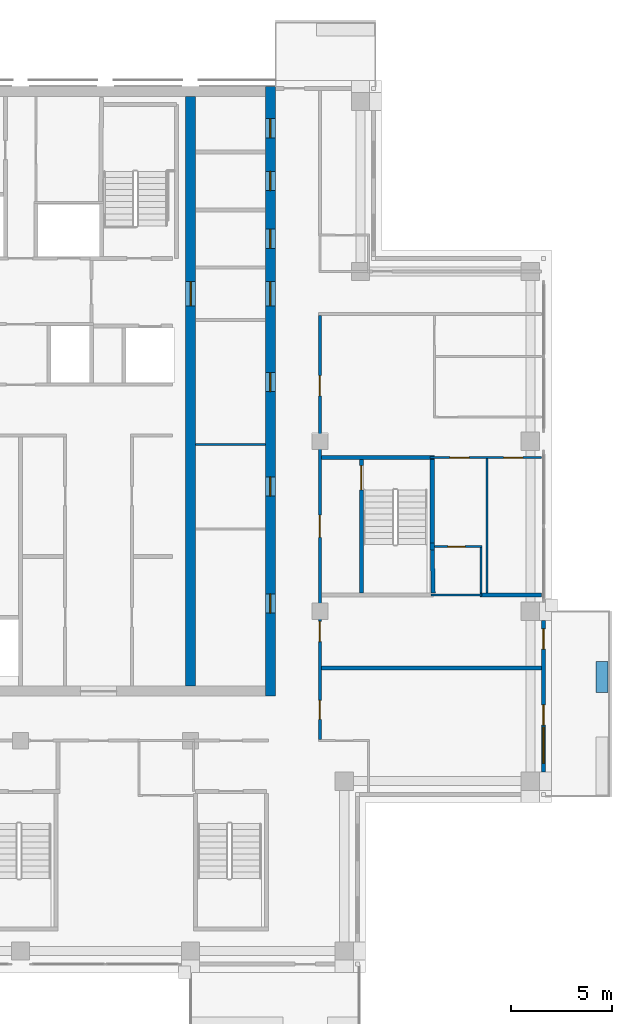
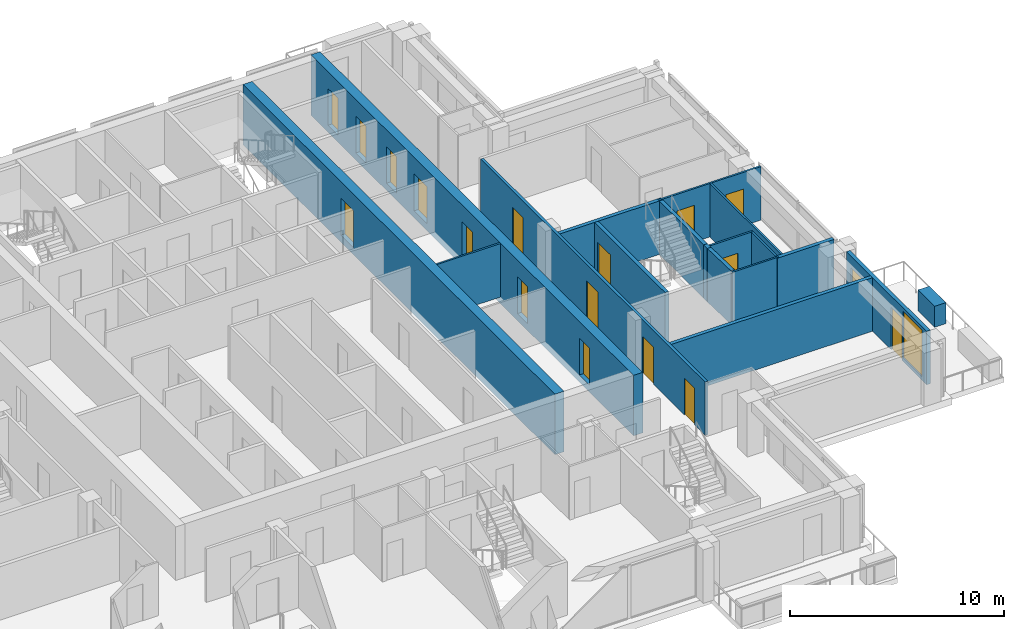
# One storey, part 12 of 19: 18 doors, 18 walls, 1 window, 19 openings.
"""IFC4 building model written with IfcOpenShell, lengths in metres."""

from ifc_helpers import new_model, si_unit, direction, frame, frame_2d, origin, place, context, subcontext, project, spatial, rectangle, extrude, material, layer, layer_set, type_object, element, fill, save


model = new_model("IFC4")

# Units and contexts
model_context = context("Model", 3, precision=1e-05, world=origin(), true_north=direction((0.0, 1.0)))
body_context = subcontext(model_context, "Body", "Model", "MODEL_VIEW")
ifc_project = project(units=[si_unit("LENGTHUNIT", "METRE"), si_unit("AREAUNIT", "SQUARE_METRE"), si_unit("VOLUMEUNIT", "CUBIC_METRE"), si_unit("PLANEANGLEUNIT", "RADIAN"), si_unit("MASSUNIT", "GRAM", prefix="KILO")], contexts=[model_context])

# Site, building, storey
site_placement = place(None, origin())
site = spatial("IfcSite", under=ifc_project, at=site_placement, CompositionType="ELEMENT")
building_placement = place(site_placement, origin())
building = spatial("IfcBuilding", under=site, at=building_placement, Name="Vermilion Ogive Tower", CompositionType="ELEMENT")
storey_placement = place(building_placement, frame((0.0, 0.0, 226.89990234375)))
storey = spatial("IfcBuildingStorey", under=building, at=storey_placement, Name="L59", CompositionType="ELEMENT", Elevation=226.89990234375)

# Wall, openings, doors
ifc_material_1 = material(Name="Concrete B60", Category="concrete")
ifc_layer_1 = layer(ifc_material_1, 0.5)
ifc_layer_set_1 = layer_set([ifc_layer_1], Name="Core wall 500 B60")
wall_type_1 = type_object("IfcWallType", Name="Core wall 500 B60", PredefinedType="SHEAR", material=ifc_layer_set_1)
wall_1_placement = place(storey_placement, frame((12.35009765625, -8.39990234375, -0.39990234375), z_axis=(0.0, 0.0, 1.0), x_axis=(0.0, 1.0, 0.0)))
wall_1 = element("IfcWall", 1, at=wall_1_placement, inside=storey, type_object=wall_type_1, Name="L59-CORE-E", PredefinedType="SHEAR", context=body_context, shape_type="SweptSolid", body=[
    extrude(rectangle(XDim=30.14990234375, YDim=0.5, at=frame_2d((15.074951171875, 0.0))), origin(), (0.0, 0.0, 1.0), 3.449951171875),
])
opening_1_placement = place(wall_1_placement, frame((4.112548828125, 0.0, 0.39990234375)))
opening_1 = element("IfcOpeningElement", 2, at=opening_1_placement, cuts=wall_1, Name="Opening DAC100", PredefinedType="OPENING", context=body_context, shape_type="SweptSolid", body=[
    extrude(rectangle(XDim=0.949951171875, YDim=2.10009765625, at=frame_2d((0.47509765625, 1.050048828125))), frame((0.0, 0.260009765625, 0.0), z_axis=(0.0, -1.0, 0.0), x_axis=(1.0, 0.0, 0.0)), (0.0, 0.0, 1.0), 0.52001953125),
])
opening_2_placement = place(wall_1_placement, frame((9.8896484375, 0.0, 0.39990234375)))
opening_2 = element("IfcOpeningElement", 3, at=opening_2_placement, cuts=wall_1, Name="Opening DAC101", PredefinedType="OPENING", context=body_context, shape_type="SweptSolid", body=[
    extrude(rectangle(XDim=0.949951171875, YDim=2.10009765625, at=frame_2d((0.47509765625, 1.050048828125))), frame((0.0, 0.260009765625, 0.0), z_axis=(0.0, -1.0, 0.0), x_axis=(1.0, 0.0, 0.0)), (0.0, 0.0, 1.0), 0.52001953125),
])
opening_3_placement = place(wall_1_placement, frame((15.052001953125, 0.0, 0.39990234375)))
opening_3 = element("IfcOpeningElement", 4, at=opening_3_placement, cuts=wall_1, Name="Opening DAC102", PredefinedType="OPENING", context=body_context, shape_type="SweptSolid", body=[
    extrude(rectangle(XDim=0.949951171875, YDim=2.10009765625, at=frame_2d((0.47509765625, 1.050048828125))), frame((0.0, 0.260009765625, 0.0), z_axis=(0.0, -1.0, 0.0), x_axis=(1.0, 0.0, 0.0)), (0.0, 0.0, 1.0), 0.52001953125),
])
opening_4_placement = place(wall_1_placement, frame((22.1435546875, 0.0, 0.39990234375)))
opening_4 = element("IfcOpeningElement", 5, at=opening_4_placement, cuts=wall_1, Name="Opening DAC103", PredefinedType="OPENING", context=body_context, shape_type="SweptSolid", body=[
    extrude(rectangle(XDim=0.949951171875, YDim=2.10009765625, at=frame_2d((0.47509765625, 1.050048828125))), frame((0.0, 0.260009765625, 0.0), z_axis=(0.0, -1.0, 0.0), x_axis=(1.0, 0.0, 0.0)), (0.0, 0.0, 1.0), 0.52001953125),
])
opening_5_placement = place(wall_1_placement, frame((24.998291015625, 0.0, 0.39990234375)))
opening_5 = element("IfcOpeningElement", 6, at=opening_5_placement, cuts=wall_1, Name="Opening DAC104", PredefinedType="OPENING", context=body_context, shape_type="SweptSolid", body=[
    extrude(rectangle(XDim=0.949951171875, YDim=2.10009765625, at=frame_2d((0.47509765625, 1.050048828125))), frame((0.0, 0.260009765625, 0.0), z_axis=(0.0, -1.0, 0.0), x_axis=(1.0, 0.0, 0.0)), (0.0, 0.0, 1.0), 0.52001953125),
])
opening_6_placement = place(wall_1_placement, frame((27.604736328125, 0.0, 0.39990234375)))
opening_6 = element("IfcOpeningElement", 7, at=opening_6_placement, cuts=wall_1, Name="Opening DAC105", PredefinedType="OPENING", context=body_context, shape_type="SweptSolid", body=[
    extrude(rectangle(XDim=0.949951171875, YDim=2.10009765625, at=frame_2d((0.47509765625, 1.050048828125))), frame((0.0, 0.260009765625, 0.0), z_axis=(0.0, -1.0, 0.0), x_axis=(1.0, 0.0, 0.0)), (0.0, 0.0, 1.0), 0.52001953125),
])
opening_7_placement = place(wall_1_placement, frame((19.300048828125, 0.0, 0.39990234375)))
opening_7 = element("IfcOpeningElement", 8, at=opening_7_placement, cuts=wall_1, Name="Opening DAL024", PredefinedType="OPENING", context=body_context, shape_type="SweptSolid", body=[
    extrude(rectangle(XDim=1.199951171875, YDim=2.10009765625, at=frame_2d((0.60009765625, 1.050048828125))), frame((0.0, 0.260009765625, 0.0), z_axis=(0.0, -1.0, 0.0), x_axis=(1.0, 0.0, 0.0)), (0.0, 0.0, 1.0), 0.52001953125),
])
ifc_material_2 = material(Name="Timber door leaf", Category="wood")
door_type_1 = type_object("IfcDoorType", Name="Link door 1200 x 2100 FD60S", OperationType="SINGLE_SWING_LEFT", PredefinedType="DOOR", material=ifc_material_2)
door_1_placement = place(opening_7_placement, origin())
door_1 = element("IfcDoor", 9, at=door_1_placement, inside=storey, type_object=door_type_1, Name="L59-CKE-XL", OperationType="SINGLE_SWING_LEFT", OverallHeight=2.10009765625, OverallWidth=1.199951171875, PredefinedType="DOOR", context=body_context, shape_type="SweptSolid", body=[
    extrude(rectangle(XDim=1.199951171875, YDim=2.10009765625, at=frame_2d((0.60009765625, 1.050048828125))), frame((0.0, 0.02490234375, 0.0), z_axis=(0.0, -1.0, 0.0), x_axis=(1.0, 0.0, 0.0)), (0.0, 0.0, 1.0), 0.050048828125),
])
fill(opening_7, door_1)
ifc_material_3 = material(Name="Timber door leaf", Category="wood")
door_type_2 = type_object("IfcDoorType", Name="Service door 950 x 2100 FD60", OperationType="SINGLE_SWING_LEFT", PredefinedType="DOOR", material=ifc_material_3)
door_2_placement = place(opening_1_placement, origin())
door_2 = element("IfcDoor", 10, at=door_2_placement, inside=storey, type_object=door_type_2, Name="L59-CKE-XR0", OperationType="SINGLE_SWING_LEFT", OverallHeight=2.10009765625, OverallWidth=0.949951171875, PredefinedType="DOOR", context=body_context, shape_type="SweptSolid", body=[
    extrude(rectangle(XDim=0.949951171875, YDim=2.10009765625, at=frame_2d((0.47509765625, 1.050048828125))), frame((0.0, 0.02490234375, 0.0), z_axis=(0.0, -1.0, 0.0), x_axis=(1.0, 0.0, 0.0)), (0.0, 0.0, 1.0), 0.050048828125),
])
fill(opening_1, door_2)
door_3_placement = place(opening_2_placement, origin())
door_3 = element("IfcDoor", 11, at=door_3_placement, inside=storey, type_object=door_type_2, Name="L59-CKE-XR1", OperationType="SINGLE_SWING_LEFT", OverallHeight=2.10009765625, OverallWidth=0.949951171875, PredefinedType="DOOR", context=body_context, shape_type="SweptSolid", body=[
    extrude(rectangle(XDim=0.949951171875, YDim=2.10009765625, at=frame_2d((0.47509765625, 1.050048828125))), frame((0.0, 0.02490234375, 0.0), z_axis=(0.0, -1.0, 0.0), x_axis=(1.0, 0.0, 0.0)), (0.0, 0.0, 1.0), 0.050048828125),
])
fill(opening_2, door_3)
door_4_placement = place(opening_3_placement, origin())
door_4 = element("IfcDoor", 12, at=door_4_placement, inside=storey, type_object=door_type_2, Name="L59-CKE-XR2", OperationType="SINGLE_SWING_LEFT", OverallHeight=2.10009765625, OverallWidth=0.949951171875, PredefinedType="DOOR", context=body_context, shape_type="SweptSolid", body=[
    extrude(rectangle(XDim=0.949951171875, YDim=2.10009765625, at=frame_2d((0.47509765625, 1.050048828125))), frame((0.0, 0.02490234375, 0.0), z_axis=(0.0, -1.0, 0.0), x_axis=(1.0, 0.0, 0.0)), (0.0, 0.0, 1.0), 0.050048828125),
])
fill(opening_3, door_4)
door_5_placement = place(opening_4_placement, origin())
door_5 = element("IfcDoor", 13, at=door_5_placement, inside=storey, type_object=door_type_2, Name="L59-CKE-XR3", OperationType="SINGLE_SWING_LEFT", OverallHeight=2.10009765625, OverallWidth=0.949951171875, PredefinedType="DOOR", context=body_context, shape_type="SweptSolid", body=[
    extrude(rectangle(XDim=0.949951171875, YDim=2.10009765625, at=frame_2d((0.47509765625, 1.050048828125))), frame((0.0, 0.02490234375, 0.0), z_axis=(0.0, -1.0, 0.0), x_axis=(1.0, 0.0, 0.0)), (0.0, 0.0, 1.0), 0.050048828125),
])
fill(opening_4, door_5)
door_6_placement = place(opening_5_placement, origin())
door_6 = element("IfcDoor", 14, at=door_6_placement, inside=storey, type_object=door_type_2, Name="L59-CKE-XR4", OperationType="SINGLE_SWING_LEFT", OverallHeight=2.10009765625, OverallWidth=0.949951171875, PredefinedType="DOOR", context=body_context, shape_type="SweptSolid", body=[
    extrude(rectangle(XDim=0.949951171875, YDim=2.10009765625, at=frame_2d((0.47509765625, 1.050048828125))), frame((0.0, 0.02490234375, 0.0), z_axis=(0.0, -1.0, 0.0), x_axis=(1.0, 0.0, 0.0)), (0.0, 0.0, 1.0), 0.050048828125),
])
fill(opening_5, door_6)
door_7_placement = place(opening_6_placement, origin())
door_7 = element("IfcDoor", 15, at=door_7_placement, inside=storey, type_object=door_type_2, Name="L59-CKE-XR5", OperationType="SINGLE_SWING_LEFT", OverallHeight=2.10009765625, OverallWidth=0.949951171875, PredefinedType="DOOR", context=body_context, shape_type="SweptSolid", body=[
    extrude(rectangle(XDim=0.949951171875, YDim=2.10009765625, at=frame_2d((0.47509765625, 1.050048828125))), frame((0.0, 0.02490234375, 0.0), z_axis=(0.0, -1.0, 0.0), x_axis=(1.0, 0.0, 0.0)), (0.0, 0.0, 1.0), 0.050048828125),
])
fill(opening_6, door_7)

# Wall, opening, door
wall_2_placement = place(storey_placement, frame((8.39990234375, -7.89990234375, -0.39990234375), z_axis=(0.0, 0.0, 1.0), x_axis=(0.0, 1.0, 0.0)))
wall_2 = element("IfcWall", 16, at=wall_2_placement, inside=storey, type_object=wall_type_1, Name="L59-CORE-WEB2", PredefinedType="SHEAR", context=body_context, shape_type="SweptSolid", body=[
    extrude(rectangle(XDim=29.14990234375, YDim=0.5, at=frame_2d((14.574951171875, 0.0))), origin(), (0.0, 0.0, 1.0), 3.449951171875),
])
opening_8_placement = place(wall_2_placement, frame((18.800048828125, 0.0, 0.39990234375)))
opening_8 = element("IfcOpeningElement", 17, at=opening_8_placement, cuts=wall_2, Name="Opening DAO019", PredefinedType="OPENING", context=body_context, shape_type="SweptSolid", body=[
    extrude(rectangle(XDim=1.199951171875, YDim=2.10009765625, at=frame_2d((0.60009765625, 1.050048828125))), frame((0.0, 0.260009765625, 0.0), z_axis=(0.0, -1.0, 0.0), x_axis=(1.0, 0.0, 0.0)), (0.0, 0.0, 1.0), 0.52001953125),
])
door_8_placement = place(opening_8_placement, origin())
door_8 = element("IfcDoor", 18, at=door_8_placement, inside=storey, type_object=door_type_1, Name="L59-CKE-XW", OperationType="SINGLE_SWING_LEFT", OverallHeight=2.10009765625, OverallWidth=1.199951171875, PredefinedType="DOOR", context=body_context, shape_type="SweptSolid", body=[
    extrude(rectangle(XDim=1.199951171875, YDim=2.10009765625, at=frame_2d((0.60009765625, 1.050048828125))), frame((0.0, 0.02490234375, 0.0), z_axis=(0.0, -1.0, 0.0), x_axis=(1.0, 0.0, 0.0)), (0.0, 0.0, 1.0), 0.050048828125),
])
fill(opening_8, door_8)

# Wall
ifc_material_4 = material(Name="Gypsum board partition on steel studs", Category="steel")
ifc_layer_2 = layer(ifc_material_4, 0.10009765625)
ifc_layer_set_2 = layer_set([ifc_layer_2], Name="Partition 100 bath")
wall_type_2 = type_object("IfcWallType", Name="Partition 100 bath", PredefinedType="PARTITIONING", material=ifc_layer_set_2)
wall_3_placement = place(storey_placement, frame((20.300048828125, -3.39990234375, 0.0), z_axis=(0.0, 0.0, 1.0), x_axis=(1.0, 0.0, 0.0)))
element("IfcWall", 19, at=wall_3_placement, inside=storey, type_object=wall_type_2, Name="L59-W-W019", PredefinedType="PARTITIONING", context=body_context, shape_type="SweptSolid", body=[
    extrude(rectangle(XDim=2.5, YDim=0.10009765625, at=frame_2d((1.25, 0.0))), origin(), (0.0, 0.0, 1.0), 3.050048828125),
])

# Wall, opening, door
wall_4_placement = place(storey_placement, frame((20.449951171875, -1.0, 0.0), z_axis=(0.0, 0.0, 1.0), x_axis=(1.0, 0.0, 0.0)))
wall_4 = element("IfcWall", 20, at=wall_4_placement, inside=storey, type_object=wall_type_2, Name="L59-W-W021", PredefinedType="PARTITIONING", context=body_context, shape_type="SweptSolid", body=[
    extrude(rectangle(XDim=2.35009765625, YDim=0.10009765625, at=frame_2d((1.175048828125, 0.0))), origin(), (0.0, 0.0, 1.0), 3.050048828125),
])
opening_9_placement = place(wall_4_placement, frame((0.675048828125, 0.0, 0.0)))
opening_9 = element("IfcOpeningElement", 21, at=opening_9_placement, cuts=wall_4, Name="Opening D5G1020", PredefinedType="OPENING", context=body_context, shape_type="SweptSolid", body=[
    extrude(rectangle(XDim=0.85009765625, YDim=2.10009765625, at=frame_2d((0.425048828125, 1.050048828125))), frame((0.0, 0.06005859375, 0.0), z_axis=(0.0, -1.0, 0.0), x_axis=(1.0, 0.0, 0.0)), (0.0, 0.0, 1.0), 0.1201171875),
])
ifc_material_5 = material(Name="Timber door leaf", Category="wood")
door_type_3 = type_object("IfcDoorType", Name="Bath door 850 x 2100 FD30", OperationType="SINGLE_SWING_LEFT", PredefinedType="DOOR", material=ifc_material_5)
door_9_placement = place(opening_9_placement, origin())
door_9 = element("IfcDoor", 22, at=door_9_placement, inside=storey, type_object=door_type_3, Name="L59-D-D020", OperationType="SINGLE_SWING_RIGHT", OverallHeight=2.10009765625, OverallWidth=0.85009765625, PredefinedType="DOOR", context=body_context, shape_type="SweptSolid", body=[
    extrude(rectangle(XDim=0.85009765625, YDim=2.10009765625, at=frame_2d((0.425048828125, 1.050048828125))), frame((0.0, 0.02490234375, 0.0), z_axis=(0.0, -1.0, 0.0), x_axis=(1.0, 0.0, 0.0)), (0.0, 0.0, 1.0), 0.050048828125),
])
fill(opening_9, door_9)

# Walls
wall_5_placement = place(storey_placement, frame((22.75, -3.300048828125, 0.0), z_axis=(0.0, 0.0, 1.0), x_axis=(0.0, 1.0, 0.0)))
element("IfcWall", 23, at=wall_5_placement, inside=storey, type_object=wall_type_2, Name="L59-W-W066", PredefinedType="PARTITIONING", context=body_context, shape_type="SweptSolid", body=[
    extrude(rectangle(XDim=2.25, YDim=0.10009765625, at=frame_2d((1.125, 0.0))), origin(), (0.0, 0.0, 1.0), 3.050048828125),
])
wall_6_placement = place(storey_placement, frame((8.65087890625, 4.053955078125, 0.0), z_axis=(0.0, 0.0, 1.0), x_axis=(1.0, 0.0, 0.0)))
element("IfcWall", 24, at=wall_6_placement, inside=storey, type_object=wall_type_2, Name="L59-CKE-W-W002", PredefinedType="PARTITIONING", context=body_context, shape_type="SweptSolid", body=[
    extrude(rectangle(XDim=3.4482421875, YDim=0.10009765625, at=frame_2d((1.72412109375, 0.0))), origin(), (0.0, 0.0, 1.0), 3.050048828125),
])

# Wall, openings, doors
ifc_material_6 = material(Name="Gypsum board partition on steel studs", Category="steel")
ifc_layer_3 = layer(ifc_material_6, 0.10009765625)
ifc_layer_set_3 = layer_set([ifc_layer_3], Name="Partition 100 inner")
wall_type_3 = type_object("IfcWallType", Name="Partition 100 inner", PredefinedType="PARTITIONING", material=ifc_layer_set_3)
wall_7_placement = place(storey_placement, frame((20.25, 3.39990234375, 0.0), z_axis=(0.0, 0.0, 1.0), x_axis=(1.0, 0.0, 0.0)))
wall_7 = element("IfcWall", 25, at=wall_7_placement, inside=storey, type_object=wall_type_3, Name="L59-W-W026", PredefinedType="PARTITIONING", context=body_context, shape_type="SweptSolid", body=[
    extrude(rectangle(XDim=5.5, YDim=0.10009765625, at=frame_2d((2.75, 0.0))), origin(), (0.0, 0.0, 1.0), 3.050048828125),
])
opening_10_placement = place(wall_7_placement, frame((3.625, 0.0, 0.0)))
opening_10 = element("IfcOpeningElement", 26, at=opening_10_placement, cuts=wall_7, Name="Opening D5G1015", PredefinedType="OPENING", context=body_context, shape_type="SweptSolid", body=[
    extrude(rectangle(XDim=0.949951171875, YDim=2.10009765625, at=frame_2d((0.47509765625, 1.050048828125))), frame((0.0, 0.06005859375, 0.0), z_axis=(0.0, -1.0, 0.0), x_axis=(1.0, 0.0, 0.0)), (0.0, 0.0, 1.0), 0.1201171875),
])
opening_11_placement = place(wall_7_placement, frame((0.97509765625, 0.0, 0.0)))
opening_11 = element("IfcOpeningElement", 27, at=opening_11_placement, cuts=wall_7, Name="Opening D5G1019", PredefinedType="OPENING", context=body_context, shape_type="SweptSolid", body=[
    extrude(rectangle(XDim=0.949951171875, YDim=2.10009765625, at=frame_2d((0.47509765625, 1.050048828125))), frame((0.0, 0.06005859375, 0.0), z_axis=(0.0, -1.0, 0.0), x_axis=(1.0, 0.0, 0.0)), (0.0, 0.0, 1.0), 0.1201171875),
])
ifc_material_7 = material(Name="Timber door leaf", Category="wood")
door_type_4 = type_object("IfcDoorType", Name="Inner door 950 x 2100 FD30", OperationType="SINGLE_SWING_LEFT", PredefinedType="DOOR", material=ifc_material_7)
door_10_placement = place(opening_10_placement, origin())
door_10 = element("IfcDoor", 28, at=door_10_placement, inside=storey, type_object=door_type_4, Name="L59-D-D015", OperationType="SINGLE_SWING_LEFT", OverallHeight=2.10009765625, OverallWidth=0.949951171875, PredefinedType="DOOR", context=body_context, shape_type="SweptSolid", body=[
    extrude(rectangle(XDim=0.949951171875, YDim=2.10009765625, at=frame_2d((0.47509765625, 1.050048828125))), frame((0.0, 0.02490234375, 0.0), z_axis=(0.0, -1.0, 0.0), x_axis=(1.0, 0.0, 0.0)), (0.0, 0.0, 1.0), 0.050048828125),
])
fill(opening_10, door_10)
door_11_placement = place(opening_11_placement, origin())
door_11 = element("IfcDoor", 29, at=door_11_placement, inside=storey, type_object=door_type_4, Name="L59-D-D019", OperationType="SINGLE_SWING_RIGHT", OverallHeight=2.10009765625, OverallWidth=0.949951171875, PredefinedType="DOOR", context=body_context, shape_type="SweptSolid", body=[
    extrude(rectangle(XDim=0.949951171875, YDim=2.10009765625, at=frame_2d((0.47509765625, 1.050048828125))), frame((0.0, 0.02490234375, 0.0), z_axis=(0.0, -1.0, 0.0), x_axis=(1.0, 0.0, 0.0)), (0.0, 0.0, 1.0), 0.050048828125),
])
fill(opening_11, door_11)

# Wall
wall_8_placement = place(storey_placement, frame((23.050048828125, -3.300048828125, 0.0), z_axis=(0.0, 0.0, 1.0), x_axis=(0.0, 1.0, 0.0)))
element("IfcWall", 30, at=wall_8_placement, inside=storey, type_object=wall_type_3, Name="L59-W-W067", PredefinedType="PARTITIONING", context=body_context, shape_type="SweptSolid", body=[
    extrude(rectangle(XDim=6.650146484375, YDim=0.10009765625, at=frame_2d((3.3251953125, 0.0))), origin(), (0.0, 0.0, 1.0), 3.050048828125),
])

# Wall, openings, doors
ifc_material_8 = material(Name="Gypsum board partition on steel studs", Category="steel")
ifc_layer_4 = layer(ifc_material_8, 0.14990234375)
ifc_layer_set_4 = layer_set([ifc_layer_4], Name="Partition 150 corridor")
wall_type_4 = type_object("IfcWallType", Name="Partition 150 corridor", PredefinedType="PARTITIONING", material=ifc_layer_set_4)
wall_9_placement = place(storey_placement, frame((14.800048828125, -10.550048828125, 0.0), z_axis=(0.0, 0.0, 1.0), x_axis=(0.0, 1.0, 0.0)))
wall_9 = element("IfcWall", 31, at=wall_9_placement, inside=storey, type_object=wall_type_4, Name="L59-W-W057", PredefinedType="PARTITIONING", context=body_context, shape_type="SweptSolid", body=[
    extrude(rectangle(XDim=20.97509765625, YDim=0.14990234375, at=frame_2d((10.487548828125, 0.0))), origin(), (0.0, 0.0, 1.0), 3.050048828125),
])
opening_12_placement = place(wall_9_placement, frame((1.0, 0.0, 0.0)))
opening_12 = element("IfcOpeningElement", 32, at=opening_12_placement, cuts=wall_9, Name="Opening D5G1013", PredefinedType="OPENING", context=body_context, shape_type="SweptSolid", body=[
    extrude(rectangle(XDim=0.949951171875, YDim=2.10009765625, at=frame_2d((0.47509765625, 1.050048828125))), frame((0.0, 0.0849609375, 0.0), z_axis=(0.0, -1.0, 0.0), x_axis=(1.0, 0.0, 0.0)), (0.0, 0.0, 1.0), 0.169921875),
])
opening_13_placement = place(wall_9_placement, frame((17.0, 0.0, 0.0)))
opening_13 = element("IfcOpeningElement", 33, at=opening_13_placement, cuts=wall_9, Name="Opening D5G1018", PredefinedType="OPENING", context=body_context, shape_type="SweptSolid", body=[
    extrude(rectangle(XDim=1.0, YDim=2.10009765625, at=frame_2d((0.5, 1.050048828125))), frame((0.0, 0.0849609375, 0.0), z_axis=(0.0, -1.0, 0.0), x_axis=(1.0, 0.0, 0.0)), (0.0, 0.0, 1.0), 0.169921875),
])
opening_14_placement = place(wall_9_placement, frame((10.0, 0.0, 0.0)))
opening_14 = element("IfcOpeningElement", 34, at=opening_14_placement, cuts=wall_9, Name="Opening D5G1029", PredefinedType="OPENING", context=body_context, shape_type="SweptSolid", body=[
    extrude(rectangle(XDim=1.10009765625, YDim=2.10009765625, at=frame_2d((0.550048828125, 1.050048828125))), frame((0.0, 0.0849609375, 0.0), z_axis=(0.0, -1.0, 0.0), x_axis=(1.0, 0.0, 0.0)), (0.0, 0.0, 1.0), 0.169921875),
])
opening_15_placement = place(wall_9_placement, frame((4.85009765625, 0.0, 0.0)))
opening_15 = element("IfcOpeningElement", 35, at=opening_15_placement, cuts=wall_9, Name="Opening D5G1034", PredefinedType="OPENING", context=body_context, shape_type="SweptSolid", body=[
    extrude(rectangle(XDim=1.0, YDim=2.10009765625, at=frame_2d((0.5, 1.050048828125))), frame((0.0, 0.0849609375, 0.0), z_axis=(0.0, -1.0, 0.0), x_axis=(1.0, 0.0, 0.0)), (0.0, 0.0, 1.0), 0.169921875),
])
ifc_material_9 = material(Name="Timber door leaf", Category="wood")
door_type_5 = type_object("IfcDoorType", Name="Stair door 1100 x 2100 FD60S", OperationType="SINGLE_SWING_LEFT", PredefinedType="DOOR", material=ifc_material_9)
door_12_placement = place(opening_14_placement, origin())
door_12 = element("IfcDoor", 36, at=door_12_placement, inside=storey, type_object=door_type_5, Name="L59-D-D029", OperationType="SINGLE_SWING_LEFT", OverallHeight=2.10009765625, OverallWidth=1.10009765625, PredefinedType="DOOR", context=body_context, shape_type="SweptSolid", body=[
    extrude(rectangle(XDim=1.10009765625, YDim=2.10009765625, at=frame_2d((0.550048828125, 1.050048828125))), frame((0.0, 0.02490234375, 0.0), z_axis=(0.0, -1.0, 0.0), x_axis=(1.0, 0.0, 0.0)), (0.0, 0.0, 1.0), 0.050048828125),
])
fill(opening_14, door_12)
ifc_material_10 = material(Name="Timber door leaf", Category="wood")
door_type_6 = type_object("IfcDoorType", Name="Unit door 1000 x 2100 FD30S", OperationType="SINGLE_SWING_LEFT", PredefinedType="DOOR", material=ifc_material_10)
door_13_placement = place(opening_13_placement, origin())
door_13 = element("IfcDoor", 37, at=door_13_placement, inside=storey, type_object=door_type_6, Name="L59-D-D018", OperationType="SINGLE_SWING_RIGHT", OverallHeight=2.10009765625, OverallWidth=1.0, PredefinedType="DOOR", context=body_context, shape_type="SweptSolid", body=[
    extrude(rectangle(XDim=1.0, YDim=2.10009765625, at=frame_2d((0.5, 1.050048828125))), frame((0.0, 0.02490234375, 0.0), z_axis=(0.0, -1.0, 0.0), x_axis=(1.0, 0.0, 0.0)), (0.0, 0.0, 1.0), 0.050048828125),
])
fill(opening_13, door_13)
door_14_placement = place(opening_15_placement, origin())
door_14 = element("IfcDoor", 38, at=door_14_placement, inside=storey, type_object=door_type_6, Name="L59-D-D034", OperationType="SINGLE_SWING_LEFT", OverallHeight=2.10009765625, OverallWidth=1.0, PredefinedType="DOOR", context=body_context, shape_type="SweptSolid", body=[
    extrude(rectangle(XDim=1.0, YDim=2.10009765625, at=frame_2d((0.5, 1.050048828125))), frame((0.0, 0.02490234375, 0.0), z_axis=(0.0, -1.0, 0.0), x_axis=(1.0, 0.0, 0.0)), (0.0, 0.0, 1.0), 0.050048828125),
])
fill(opening_15, door_14)
ifc_material_11 = material(Name="Timber door leaf", Category="wood")
door_type_7 = type_object("IfcDoorType", Name="Unit door 950 x 2100 FD30S", OperationType="SINGLE_SWING_LEFT", PredefinedType="DOOR", material=ifc_material_11)
door_15_placement = place(opening_12_placement, origin())
door_15 = element("IfcDoor", 39, at=door_15_placement, inside=storey, type_object=door_type_7, Name="L59-D-D013", OperationType="SINGLE_SWING_RIGHT", OverallHeight=2.10009765625, OverallWidth=0.949951171875, PredefinedType="DOOR", context=body_context, shape_type="SweptSolid", body=[
    extrude(rectangle(XDim=0.949951171875, YDim=2.10009765625, at=frame_2d((0.47509765625, 1.050048828125))), frame((0.0, 0.02490234375, 0.0), z_axis=(0.0, -1.0, 0.0), x_axis=(1.0, 0.0, 0.0)), (0.0, 0.0, 1.0), 0.050048828125),
])
fill(opening_12, door_15)

# Walls
ifc_material_12 = material(Name="Gypsum board partition on steel studs", Category="steel")
ifc_layer_5 = layer(ifc_material_12, 0.199951171875)
ifc_layer_set_5 = layer_set([ifc_layer_5], Name="Partition 200 party")
wall_type_5 = type_object("IfcWallType", Name="Partition 200 party", PredefinedType="PARTITIONING", material=ifc_layer_set_5)
wall_10_placement = place(storey_placement, frame((14.875, -7.0, 0.0), z_axis=(0.0, 0.0, 1.0), x_axis=(1.0, 0.0, 0.0)))
element("IfcWall", 40, at=wall_10_placement, inside=storey, type_object=wall_type_5, Name="L59-W-W015", PredefinedType="PARTITIONING", context=body_context, shape_type="SweptSolid", body=[
    extrude(rectangle(XDim=10.875, YDim=0.199951171875, at=frame_2d((5.4375, 0.0))), origin(), (0.0, 0.0, 1.0), 3.050048828125),
])
wall_11_placement = place(storey_placement, frame((22.699951171875, -3.39990234375, 0.0), z_axis=(0.0, 0.0, 1.0), x_axis=(1.0, 0.0, 0.0)))
element("IfcWall", 41, at=wall_11_placement, inside=storey, type_object=wall_type_5, Name="L59-W-W020", PredefinedType="PARTITIONING", context=body_context, shape_type="SweptSolid", body=[
    extrude(rectangle(XDim=3.050048828125, YDim=0.199951171875, at=frame_2d((1.52490234375, 0.0))), origin(), (0.0, 0.0, 1.0), 3.050048828125),
])
ifc_material_13 = material(Name="Concrete B60", Category="concrete")
ifc_layer_6 = layer(ifc_material_13, 0.199951171875)
ifc_layer_set_6 = layer_set([ifc_layer_6], Name="Stair shaft wall 200 Concrete B60")
wall_type_6 = type_object("IfcWallType", Name="Stair shaft wall 200 Concrete B60", PredefinedType="SOLIDWALL", material=ifc_layer_set_6)
wall_12_placement = place(storey_placement, frame((14.875, 3.39990234375, 0.0), z_axis=(0.0, 0.0, 1.0), x_axis=(1.0, 0.0, 0.0)))
element("IfcWall", 42, at=wall_12_placement, inside=storey, type_object=wall_type_6, Name="L59-W-W025", PredefinedType="SOLIDWALL", context=body_context, shape_type="SweptSolid", body=[
    extrude(rectangle(XDim=5.574951171875, YDim=0.199951171875, at=frame_2d((2.78759765625, 0.0))), origin(), (0.0, 0.0, 1.0), 3.050048828125),
])

# Wall, opening, door
wall_13_placement = place(storey_placement, frame((16.85009765625, -3.300048828125, 0.0), z_axis=(0.0, 0.0, 1.0), x_axis=(0.0, 1.0, 0.0)))
wall_13 = element("IfcWall", 43, at=wall_13_placement, inside=storey, type_object=wall_type_6, Name="L59-W-W060", PredefinedType="SOLIDWALL", context=body_context, shape_type="SweptSolid", body=[
    extrude(rectangle(XDim=6.60009765625, YDim=0.199951171875, at=frame_2d((3.300048828125, 0.0))), origin(), (0.0, 0.0, 1.0), 3.050048828125),
])
opening_16_placement = place(wall_13_placement, frame((5.10009765625, 0.0, 0.0)))
opening_16 = element("IfcOpeningElement", 44, at=opening_16_placement, cuts=wall_13, Name="Opening D5G1030", PredefinedType="OPENING", context=body_context, shape_type="SweptSolid", body=[
    extrude(rectangle(XDim=1.199951171875, YDim=2.10009765625, at=frame_2d((0.60009765625, 1.050048828125))), frame((0.0, 0.10986328125, 0.0), z_axis=(0.0, -1.0, 0.0), x_axis=(1.0, 0.0, 0.0)), (0.0, 0.0, 1.0), 0.219970703125),
])
ifc_material_14 = material(Name="Timber door leaf", Category="wood")
door_type_8 = type_object("IfcDoorType", Name="Stair door 1200 x 2100 FD60S", OperationType="SINGLE_SWING_LEFT", PredefinedType="DOOR", material=ifc_material_14)
door_16_placement = place(opening_16_placement, origin())
door_16 = element("IfcDoor", 45, at=door_16_placement, inside=storey, type_object=door_type_8, Name="L59-D-D030", OperationType="SINGLE_SWING_LEFT", OverallHeight=2.10009765625, OverallWidth=1.199951171875, PredefinedType="DOOR", context=body_context, shape_type="SweptSolid", body=[
    extrude(rectangle(XDim=1.199951171875, YDim=2.10009765625, at=frame_2d((0.60009765625, 1.050048828125))), frame((0.0, 0.02490234375, 0.0), z_axis=(0.0, -1.0, 0.0), x_axis=(1.0, 0.0, 0.0)), (0.0, 0.0, 1.0), 0.050048828125),
])
fill(opening_16, door_16)

# Walls
wall_14_placement = place(storey_placement, frame((20.400146484375, -3.300048828125, 0.0), z_axis=(0.0, 0.0, 1.0), x_axis=(-0.021771342749, 0.999762976227, 0.0)))
element("IfcWall", 46, at=wall_14_placement, inside=storey, type_object=wall_type_6, Name="L59-W-W063", PredefinedType="SOLIDWALL", context=body_context, shape_type="SweptSolid", body=[
    extrude(rectangle(XDim=2.130615234375, YDim=0.199951171875, at=frame_2d((1.0654296875, 0.0))), origin(), (0.0, 0.0, 1.0), 3.050048828125),
])
wall_15_placement = place(storey_placement, frame((20.35009765625, -0.830078125, 0.0), z_axis=(0.0, 0.0, 1.0), x_axis=(0.0, 1.0, 0.0)))
element("IfcWall", 47, at=wall_15_placement, inside=storey, type_object=wall_type_6, Name="L59-W-W064", PredefinedType="SOLIDWALL", context=body_context, shape_type="SweptSolid", body=[
    extrude(rectangle(XDim=4.130126953125, YDim=0.199951171875, at=frame_2d((2.06494140625, 0.0))), origin(), (0.0, 0.0, 1.0), 3.050048828125),
])
wall_16_placement = place(storey_placement, frame((20.35009765625, -1.169921875, 0.0), z_axis=(0.0, 0.0, 1.0), x_axis=(0.0, 1.0, 0.0)))
element("IfcWall", 48, at=wall_16_placement, inside=storey, type_object=wall_type_6, Name="L59-SW-ST8-E1", PredefinedType="SOLIDWALL", context=body_context, shape_type="SweptSolid", body=[
    extrude(rectangle(XDim=0.33984375, YDim=0.199951171875, at=frame_2d((0.169921875, 0.0))), origin(), (0.0, 0.0, 1.0), 3.050048828125),
])
ifc_material_15 = material(Name="Concrete B40", Category="concrete")
ifc_layer_7 = layer(ifc_material_15, 0.60009765625)
ifc_layer_set_7 = layer_set([ifc_layer_7], Name="Structural planter")
wall_type_7 = type_object("IfcWallType", Name="Structural planter", PredefinedType="USERDEFINED", material=ifc_layer_set_7)
wall_17_placement = place(storey_placement, frame((28.75, -8.22509765625, -0.039794921875), z_axis=(0.0, 0.0, 1.0), x_axis=(0.0, 1.0, 0.0)))
element("IfcWall", 49, at=wall_17_placement, inside=storey, type_object=wall_type_7, Name="Planter E01A2", ObjectType="PLANTER", PredefinedType="USERDEFINED", context=body_context, shape_type="SweptSolid", body=[
    extrude(rectangle(XDim=1.550048828125, YDim=0.60009765625, at=frame_2d((0.77490234375, 0.0))), origin(), (0.0, 0.0, 1.0), 1.199951171875),
])

# Wall, openings, doors, window
ifc_material_16 = material(Name="Aluminium window wall framing", Category="aluminium")
ifc_layer_8 = layer(ifc_material_16, 0.199951171875)
ifc_layer_set_8 = layer_set([ifc_layer_8], Name="Window wall")
wall_type_8 = type_object("IfcWallType", Name="Window wall", PredefinedType="STANDARD", material=ifc_layer_set_8)
wall_18_placement = place(storey_placement, frame((25.85009765625, -12.14990234375, 0.0), z_axis=(0.0, 0.0, 1.0), x_axis=(0.0, 1.0, 0.0)))
wall_18 = element("IfcWall", 50, at=wall_18_placement, inside=storey, type_object=wall_type_8, Name="Window wall E1", PredefinedType="STANDARD", context=body_context, shape_type="SweptSolid", body=[
    extrude(rectangle(XDim=7.5, YDim=0.199951171875, at=frame_2d((3.75, 0.0))), origin(), (0.0, 0.0, 1.0), 3.050048828125),
])
opening_17_placement = place(wall_18_placement, frame((0.425048828125, 0.0, 0.199951171875)))
opening_17 = element("IfcOpeningElement", 51, at=opening_17_placement, cuts=wall_18, Name="Opening W1-E97", PredefinedType="OPENING", context=body_context, shape_type="SweptSolid", body=[
    extrude(rectangle(XDim=1.800048828125, YDim=2.64990234375, at=frame_2d((0.89990234375, 1.324951171875))), frame((0.0, 0.10986328125, 0.0), z_axis=(0.0, -1.0, 0.0), x_axis=(1.0, 0.0, 0.0)), (0.0, 0.0, 1.0), 0.219970703125),
])
opening_18_placement = place(wall_18_placement, frame((2.324951171875, 0.0, 0.0)))
opening_18 = element("IfcOpeningElement", 52, at=opening_18_placement, cuts=wall_18, Name="Opening D1-E97", PredefinedType="OPENING", context=body_context, shape_type="SweptSolid", body=[
    extrude(rectangle(XDim=1.0, YDim=2.39990234375, at=frame_2d((0.5, 1.199951171875))), frame((0.0, 0.10986328125, 0.0), z_axis=(0.0, -1.0, 0.0), x_axis=(1.0, 0.0, 0.0)), (0.0, 0.0, 1.0), 0.219970703125),
])
opening_19_placement = place(wall_18_placement, frame((6.074951171875, 0.0, 0.0)))
opening_19 = element("IfcOpeningElement", 53, at=opening_19_placement, cuts=wall_18, Name="Opening D1-E98", PredefinedType="OPENING", context=body_context, shape_type="SweptSolid", body=[
    extrude(rectangle(XDim=1.0, YDim=2.39990234375, at=frame_2d((0.5, 1.199951171875))), frame((0.0, 0.10986328125, 0.0), z_axis=(0.0, -1.0, 0.0), x_axis=(1.0, 0.0, 0.0)), (0.0, 0.0, 1.0), 0.219970703125),
])
ifc_material_17 = material(Name="Aluminium framed glazed door", Category="aluminium")
door_type_9 = type_object("IfcDoorType", Name="Balcony door D1", OperationType="SINGLE_SWING_LEFT", PredefinedType="DOOR", material=ifc_material_17)
door_17_placement = place(opening_18_placement, origin())
door_17 = element("IfcDoor", 54, at=door_17_placement, inside=storey, type_object=door_type_9, Name="Balcony door E97", OperationType="SINGLE_SWING_LEFT", OverallHeight=2.39990234375, OverallWidth=1.0, PredefinedType="DOOR", context=body_context, shape_type="SweptSolid", body=[
    extrude(rectangle(XDim=1.0, YDim=2.39990234375, at=frame_2d((0.5, 1.199951171875))), frame((0.0, 0.02490234375, 0.0), z_axis=(0.0, -1.0, 0.0), x_axis=(1.0, 0.0, 0.0)), (0.0, 0.0, 1.0), 0.050048828125),
])
fill(opening_18, door_17)
door_18_placement = place(opening_19_placement, origin())
door_18 = element("IfcDoor", 55, at=door_18_placement, inside=storey, type_object=door_type_9, Name="Balcony door E98", OperationType="SINGLE_SWING_LEFT", OverallHeight=2.39990234375, OverallWidth=1.0, PredefinedType="DOOR", context=body_context, shape_type="SweptSolid", body=[
    extrude(rectangle(XDim=1.0, YDim=2.39990234375, at=frame_2d((0.5, 1.199951171875))), frame((0.0, 0.02490234375, 0.0), z_axis=(0.0, -1.0, 0.0), x_axis=(1.0, 0.0, 0.0)), (0.0, 0.0, 1.0), 0.050048828125),
])
fill(opening_19, door_18)
ifc_material_18 = material(Name="Aluminium framed double glazing", Category="aluminium")
window_type = type_object("IfcWindowType", Name="Guest window W1", PartitioningType="SINGLE_PANEL", PredefinedType="WINDOW", material=ifc_material_18)
window_placement = place(opening_17_placement, origin())
window = element("IfcWindow", 56, at=window_placement, inside=storey, type_object=window_type, Name="Window E97", OverallHeight=2.64990234375, OverallWidth=1.800048828125, PartitioningType="SINGLE_PANEL", PredefinedType="WINDOW", context=body_context, shape_type="SweptSolid", body=[
    extrude(rectangle(XDim=1.800048828125, YDim=2.64990234375, at=frame_2d((0.89990234375, 1.324951171875))), frame((0.0, 0.030029296875, 0.0), z_axis=(0.0, -1.0, 0.0), x_axis=(1.0, 0.0, 0.0)), (0.0, 0.0, 1.0), 0.06005859375),
])
fill(opening_17, window)

save(model, "model.ifc")
